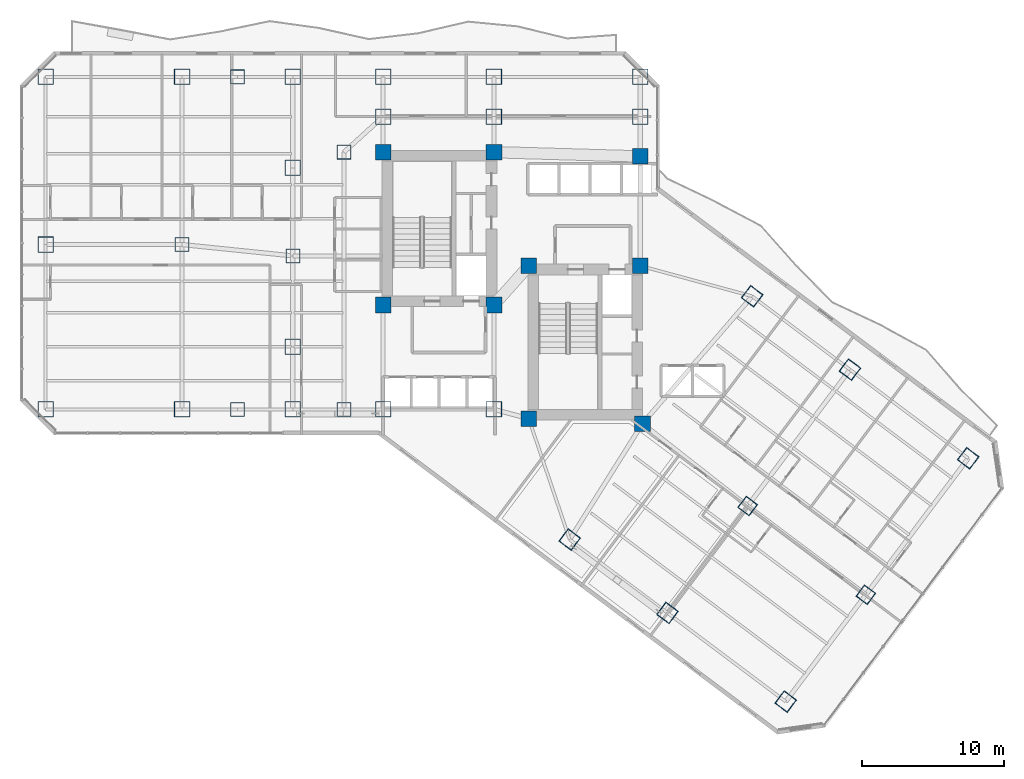
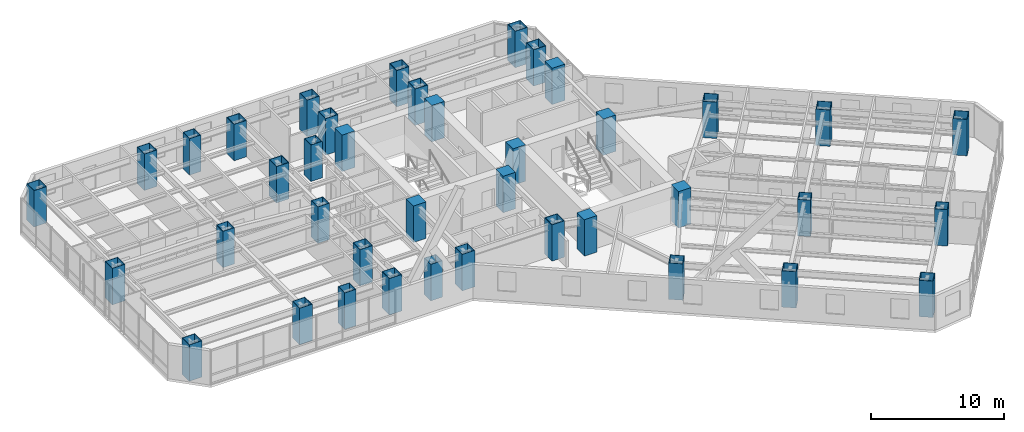
# One storey, part 1 of 33: 40 columns.
"""IFC4 building model written with IfcOpenShell, lengths in metres."""

from ifc_helpers import new_model, si_unit, direction, frame, origin, origin_2d, place, context, subcontext, project, spatial, rectangle, hollow_rectangle, extrude, material, material_profile, profile_set, type_object, element, save


model = new_model("IFC4")

# Units and contexts
model_context = context("Model", 3, precision=1e-05, world=origin(), true_north=direction((0.0, 1.0)))
body_context = subcontext(model_context, "Body", "Model", "MODEL_VIEW")
ifc_project = project(units=[si_unit("LENGTHUNIT", "METRE"), si_unit("AREAUNIT", "SQUARE_METRE"), si_unit("VOLUMEUNIT", "CUBIC_METRE"), si_unit("PLANEANGLEUNIT", "RADIAN"), si_unit("MASSUNIT", "GRAM", prefix="KILO")], contexts=[model_context])

# Site, building, storey
site_placement = place(None, origin())
site = spatial("IfcSite", under=ifc_project, at=site_placement, CompositionType="ELEMENT")
building_placement = place(site_placement, origin())
building = spatial("IfcBuilding", under=site, at=building_placement, Name="Hatsunagi Terrace Concourse", CompositionType="ELEMENT")
storey_placement = place(building_placement, frame((0.0, 0.0, 43.300048828125)))
storey = spatial("IfcBuildingStorey", under=building, at=storey_placement, Name="L10", CompositionType="ELEMENT", Elevation=43.300048828125)

# Columns
ifc_material_1 = material(Name="Concrete Fc60", Category="concrete")
ifc_material_profile_1 = material_profile(ifc_material_1, rectangle(XDim=1.10009765625, YDim=1.10009765625, at=origin_2d()), Name="RC-1100x1100")
ifc_profile_set_1 = profile_set([ifc_material_profile_1], Name="Concrete Fc60")
column_type_1 = type_object("IfcColumnType", Name="CoreColumn_RC_1100x1100", PredefinedType="COLUMN", material=ifc_profile_set_1)
for number, where, z_axis, x_axis, name in (
    (1, (25.550048828125, 32.550048828125, 0.0), (0.0, 0.0, 1.0), (1.0, 0.0, 0.0), "Column C-01 L10-CASW"),
    (2, (33.35009765625, 32.550048828125, 0.0), (0.0, 0.0, 1.0), (1.0, 0.0, 0.0), "Column C-01 L10-CASE"),
    (3, (25.550048828125, 43.300048828125, 0.0), (0.0, 0.0, 1.0), (1.0, 0.0, 0.0), "Column C-01 L10-CANW"),
    (4, (33.35009765625, 43.300048828125, 0.0), (0.0, 0.0, 1.0), (1.0, 0.0, 0.0), "Column C-01 L10-CANE"),
    (5, (35.800048828125, 24.550048828125, 0.0), (0.0, 0.0, 1.0), (1.0, 0.0, 0.0), "Column C-01 L10-CBSW"),
    (6, (43.800048828125, 24.199951171875, 0.0), (0.0, 0.0, 1.0), (1.0, 0.0, 0.0), "Column C-01 L10-CBSE"),
    (7, (35.800048828125, 35.300048828125, 0.0), (0.0, 0.0, 1.0), (1.0, 0.0, 0.0), "Column C-01 L10-CBNW"),
    (8, (43.64990234375, 35.300048828125, 0.0), (0.0, 0.0, 1.0), (1.0, 0.0, 0.0), "Column C-01 L10-CBNE"),
    (9, (43.64990234375, 43.0, 0.0), (0.0, 0.0, 1.0), (1.0, 0.0, 0.0), "Column C-01 L10-K3"),
):
    element("IfcColumn", number, at=place(storey_placement, frame(where, z_axis=z_axis, x_axis=x_axis)), inside=storey, type_object=column_type_1, Name=name, PredefinedType="COLUMN", context=body_context, shape_type="SweptSolid", body=[
        extrude(rectangle(XDim=1.10009765625, YDim=1.10009765625, at=origin_2d()), origin(), (0.0, 0.0, 1.0), 3.349853515625),
    ])
ifc_material_2 = material(Name="Steel BCP325T", Category="steel")
ifc_material_profile_2 = material_profile(ifc_material_2, hollow_rectangle(XDim=1.10009765625, YDim=1.10009765625, WallThickness=0.0400390625, at=origin_2d()), Name="BCP-1100x1100x40")
ifc_profile_set_2 = profile_set([ifc_material_profile_2], Name="Steel BCP325T")
column_type_2 = type_object("IfcColumnType", Name="MegaColumn_BCP_1100x1100x40", PredefinedType="COLUMN", material=ifc_profile_set_2)
for number, where, z_axis, x_axis, name in (
    (10, (25.550048828125, 25.199951171875, 0.0), (0.0, 0.0, 1.0), (1.0, 0.0, 0.0), "Mega column MC-02 L10-K1"),
    (11, (33.35009765625, 25.199951171875, 0.0), (0.0, 0.0, 1.0), (1.0, 0.0, 0.0), "Mega column MC-02 L10-K2"),
    (12, (25.550048828125, 45.800048828125, 0.0), (0.0, 0.0, 1.0), (1.0, 0.0, 0.0), "Mega column MC-02 L10-CN1"),
    (13, (33.35009765625, 45.800048828125, 0.0), (0.0, 0.0, 1.0), (1.0, 0.0, 0.0), "Mega column MC-02 L10-CN2"),
    (14, (43.64990234375, 45.800048828125, 0.0), (0.0, 0.0, 1.0), (1.0, 0.0, 0.0), "Mega column MC-02 L10-CN3"),
    (15, (1.800048828125, 25.199951171875, 0.0), (0.0, 0.0, 1.0), (1.0, 0.0, 0.0), "Mega column MC-02 L10-WS1"),
    (16, (1.800048828125, 48.60009765625, 0.0), (0.0, 0.0, 1.0), (1.0, 0.0, 0.0), "Mega column MC-02 L10-WN1"),
    (17, (1.800048828125, 36.800048828125, 0.0), (0.0, 0.0, 1.0), (1.0, 0.0, 0.0), "Mega column MC-02 L10-WM0"),
    (18, (11.39990234375, 25.199951171875, 0.0), (0.0, 0.0, 1.0), (1.0, 0.0, 0.0), "Mega column MC-02 L10-WS2"),
    (19, (11.39990234375, 48.60009765625, 0.0), (0.0, 0.0, 1.0), (1.0, 0.0, 0.0), "Mega column MC-02 L10-WN2"),
    (20, (19.199951171875, 48.60009765625, 0.0), (0.0, 0.0, 1.0), (1.0, 0.0, 0.0), "Mega column MC-02 L10-WN3"),
    (21, (25.550048828125, 48.60009765625, 0.0), (0.0, 0.0, 1.0), (1.0, 0.0, 0.0), "Mega column MC-02 L10-WN4"),
    (22, (33.35009765625, 48.60009765625, 0.0), (0.0, 0.0, 1.0), (1.0, 0.0, 0.0), "Mega column MC-02 L10-WN5"),
    (23, (43.64990234375, 48.60009765625, 0.0), (0.0, 0.0, 1.0), (1.0, 0.0, 0.0), "Mega column MC-02 L10-WN6"),
    (24, (19.199951171875, 25.199951171875, 0.0), (0.0, 0.0, 1.0), (1.0, 0.0, 0.0), "Mega column MC-02 L10-WS3"),
    (25, (19.199951171875, 29.60009765625, 0.0), (0.0, 0.0, 1.0), (1.0, 0.0, 0.0), "Mega column MC-02 L10-WR1"),
    (26, (19.199951171875, 42.199951171875, 0.0), (0.0, 0.0, 1.0), (1.0, 0.0, 0.0), "Mega column MC-02 L10-WR2"),
    (27, (38.679931640625, 16.0400390625, 0.0), (0.0, 0.0, 1.0), (0.799999996291, -0.600000004945, 0.0), "Mega column MC-02 L10-SES1"),
    (28, (51.52001953125, 33.159912109375, 0.0), (0.0, 0.0, 1.0), (0.799999996291, -0.600000004945, 0.0), "Mega column MC-02 L10-SEN1"),
    (29, (45.56005859375, 10.8798828125, 0.0), (0.0, 0.0, 1.0), (0.799999996291, -0.600000004945, 0.0), "Mega column MC-02 L10-SES2"),
    (30, (58.39990234375, 28.0, 0.0), (0.0, 0.0, 1.0), (0.799999996291, -0.600000004945, 0.0), "Mega column MC-02 L10-SEN2"),
    (31, (53.8798828125, 4.639892578125, 0.0), (0.0, 0.0, 1.0), (0.799999996291, -0.600000004945, 0.0), "Mega column MC-02 L10-SES3"),
    (32, (66.719970703125, 21.760009765625, 0.0), (0.0, 0.0, 1.0), (0.799999996291, -0.600000004945, 0.0), "Mega column MC-02 L10-SEN3"),
):
    element("IfcColumn", number, at=place(storey_placement, frame(where, z_axis=z_axis, x_axis=x_axis)), inside=storey, type_object=column_type_2, Name=name, PredefinedType="COLUMN", context=body_context, shape_type="SweptSolid", body=[
        extrude(hollow_rectangle(XDim=1.10009765625, YDim=1.10009765625, WallThickness=0.0400390625, at=origin_2d()), origin(), (0.0, 0.0, 1.0), 3.349853515625),
    ])
ifc_material_3 = material(Name="Steel BCP325T", Category="steel")
ifc_material_profile_3 = material_profile(ifc_material_3, hollow_rectangle(XDim=1.0, YDim=1.0, WallThickness=0.0380859375, at=origin_2d()), Name="BCP-1000x1000x38")
ifc_profile_set_3 = profile_set([ifc_material_profile_3], Name="Steel BCP325T")
column_type_3 = type_object("IfcColumnType", Name="TowerBoxColumn_1000x1000x38", PredefinedType="COLUMN", material=ifc_profile_set_3)
for number, where, z_axis, x_axis, name in (
    (33, (22.800048828125, 25.199951171875, 0.0), (0.0, 0.0, 1.0), (1.0, 0.0, 0.0), "Column C-03 L10-CW1"),
    (34, (22.800048828125, 43.300048828125, 0.0), (0.0, 0.0, 1.0), (1.0, 0.0, 0.0), "Column C-03 L10-CW2"),
    (35, (11.39990234375, 36.800048828125, 0.0), (0.0, 0.0, 1.0), (1.0, 0.0, 0.0), "Column C-03 L10-WT1"),
    (36, (19.199951171875, 36.0, 0.0), (0.0, 0.0, 1.0), (1.0, 0.0, 0.0), "Column C-03 L10-WT2"),
    (37, (15.300048828125, 25.199951171875, 0.0), (0.0, 0.0, 1.0), (1.0, 0.0, 0.0), "Column C-03 L10-WT3"),
    (38, (15.300048828125, 48.60009765625, 0.0), (0.0, 0.0, 1.0), (1.0, 0.0, 0.0), "Column C-03 L10-WT4"),
    (39, (51.199951171875, 18.39990234375, 0.0), (0.0, 0.0, 1.0), (0.799999996291, -0.600000004945, 0.0), "Column C-03 L10-SEM2"),
    (40, (59.52001953125, 12.159912109375, 0.0), (0.0, 0.0, 1.0), (0.799999996291, -0.600000004945, 0.0), "Column C-03 L10-SEM3"),
):
    element("IfcColumn", number, at=place(storey_placement, frame(where, z_axis=z_axis, x_axis=x_axis)), inside=storey, type_object=column_type_3, Name=name, PredefinedType="COLUMN", context=body_context, shape_type="SweptSolid", body=[
        extrude(hollow_rectangle(XDim=1.0, YDim=1.0, WallThickness=0.0380859375, at=origin_2d()), origin(), (0.0, 0.0, 1.0), 3.349853515625),
    ])

save(model, "model.ifc")
